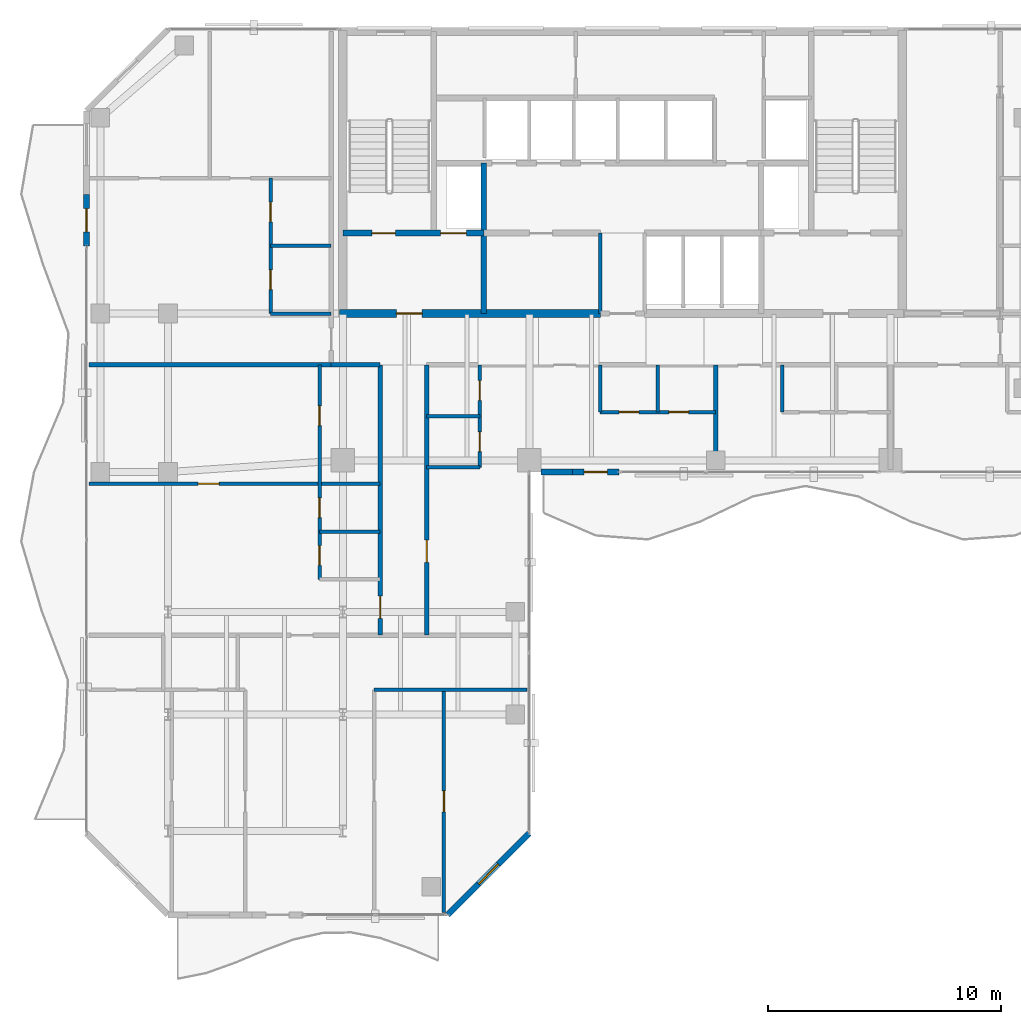
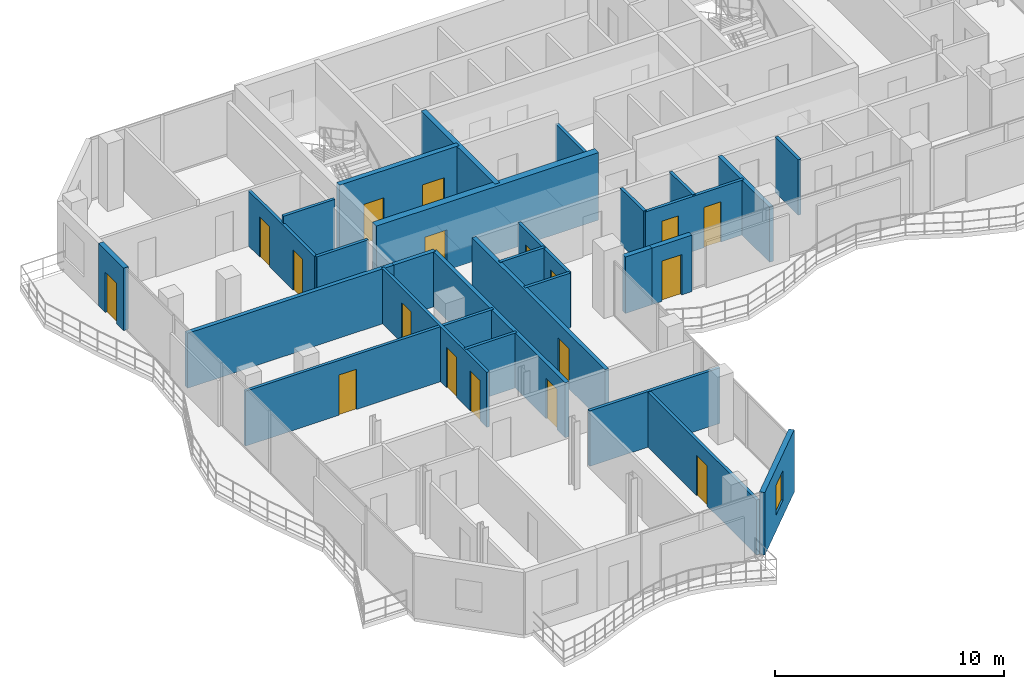
# One storey, part 18 of 24: 28 walls, 18 doors, 1 window, 19 openings.
"""IFC4 building model written with IfcOpenShell, lengths in metres."""

from ifc_helpers import new_model, si_unit, direction, frame, frame_2d, origin, place, context, subcontext, project, spatial, rectangle, extrude, material, layer, layer_set, type_object, element, fill, save


model = new_model("IFC4")

# Units and contexts
model_context = context("Model", 3, precision=1e-05, world=origin(), true_north=direction((0.0, 1.0)))
body_context = subcontext(model_context, "Body", "Model", "MODEL_VIEW")
ifc_project = project(units=[si_unit("LENGTHUNIT", "METRE"), si_unit("AREAUNIT", "SQUARE_METRE"), si_unit("VOLUMEUNIT", "CUBIC_METRE"), si_unit("PLANEANGLEUNIT", "RADIAN"), si_unit("MASSUNIT", "GRAM", prefix="KILO")], contexts=[model_context])

# Site, building, storey
site_placement = place(None, origin())
site = spatial("IfcSite", under=ifc_project, at=site_placement, CompositionType="ELEMENT")
building_placement = place(site_placement, origin())
building = spatial("IfcBuilding", under=site, at=building_placement, Name="Catumbela Crestline Tower", CompositionType="ELEMENT")
storey_placement = place(building_placement, frame((0.0, 0.0, 154.2)))
storey = spatial("IfcBuildingStorey", under=building, at=storey_placement, Name="L39", CompositionType="ELEMENT", Elevation=154.2)

# Wall
ifc_material_1 = material(Name="Concrete C50/60", Category="concrete")
ifc_layer_1 = layer(ifc_material_1, 0.25, Name="Concrete C50/60")
ifc_layer_set_1 = layer_set([ifc_layer_1], Name="Concrete C50/60")
wall_type_1 = type_object("IfcWallType", Name="CW-250D", PredefinedType="SHEAR", material=ifc_layer_set_1)
wall_1_placement = place(storey_placement, frame((22.05, 30.8, 0.0), z_axis=(0.0, 0.0, 1.0), x_axis=(0.0, 1.0, 0.0)))
element("IfcWall", 1, at=wall_1_placement, inside=storey, type_object=wall_type_1, Name="L39 Structural Core Shear Wall FFW", PredefinedType="SHEAR", context=body_context, shape_type="SweptSolid", body=[
    extrude(rectangle(XDim=6.45, YDim=0.25, at=frame_2d((3.225, 0.0))), origin(), (0.0, 0.0, 1.0), 3.6),
])

# Wall, openings, doors
wall_2_placement = place(storey_placement, frame((16.0, 34.25, 0.0), z_axis=(0.0, 0.0, 1.0), x_axis=(1.0, 0.0, 0.0)))
wall_2 = element("IfcWall", 2, at=wall_2_placement, inside=storey, type_object=wall_type_1, Name="L39 Structural Core Shear Wall ST1S", PredefinedType="SHEAR", context=body_context, shape_type="SweptSolid", body=[
    extrude(rectangle(XDim=6.05, YDim=0.25, at=frame_2d((3.025, 0.0))), origin(), (0.0, 0.0, 1.0), 3.6),
])
opening_1_placement = place(wall_2_placement, frame((1.25, 0.0, 0.0)))
opening_1 = element("IfcOpeningElement", 3, at=opening_1_placement, cuts=wall_2, Name="Opening DF9-100", PredefinedType="OPENING", context=body_context, shape_type="SweptSolid", body=[
    extrude(rectangle(XDim=1.0, YDim=2.15, at=frame_2d((0.5, 1.075))), frame((0.0, 0.135, 0.0), z_axis=(0.0, -1.0, 0.0), x_axis=(1.0, 0.0, 0.0)), (0.0, 0.0, 1.0), 0.27),
])
opening_2_placement = place(wall_2_placement, frame((4.2, 0.0, 0.0)))
opening_2 = element("IfcOpeningElement", 4, at=opening_2_placement, cuts=wall_2, Name="Opening LD-110", PredefinedType="OPENING", context=body_context, shape_type="SweptSolid", body=[
    extrude(rectangle(XDim=1.1, YDim=2.15, at=frame_2d((0.55, 1.075))), frame((0.0, 0.135, 0.0), z_axis=(0.0, -1.0, 0.0), x_axis=(1.0, 0.0, 0.0)), (0.0, 0.0, 1.0), 0.27),
])
ifc_material_2 = material(Name="Stainless steel EN 1.4401", Category="steel")
door_type_1 = type_object("IfcDoorType", Name="DF9-100", OperationType="NOTDEFINED", PredefinedType="DOOR", material=ifc_material_2)
door_1_placement = place(opening_1_placement, origin())
door_1 = element("IfcDoor", 5, at=door_1_placement, inside=storey, type_object=door_type_1, Name="L39 Interior Door DR-L39-ST01", OperationType="SINGLE_SWING_LEFT", OverallHeight=2.15, OverallWidth=1.0, PredefinedType="DOOR", context=body_context, shape_type="SweptSolid", body=[
    extrude(rectangle(XDim=1.0, YDim=2.15, at=frame_2d((0.5, 1.075))), frame((0.0, 0.025, 0.0), z_axis=(0.0, -1.0, 0.0), x_axis=(1.0, 0.0, 0.0)), (0.0, 0.0, 1.0), 0.05),
])
fill(opening_1, door_1)
door_type_2 = type_object("IfcDoorType", Name="LD-110", OperationType="NOTDEFINED", PredefinedType="DOOR", material=ifc_material_2)
door_2_placement = place(opening_2_placement, origin())
door_2 = element("IfcDoor", 6, at=door_2_placement, inside=storey, type_object=door_type_2, Name="L39 Lift Landing Sliding Door FL-01", OperationType="DOUBLE_DOOR_SLIDING", OverallHeight=2.15, OverallWidth=1.1, PredefinedType="DOOR", context=body_context, shape_type="SweptSolid", body=[
    extrude(rectangle(XDim=1.1, YDim=2.15, at=frame_2d((0.55, 1.075))), frame((0.0, 0.025, 0.0), z_axis=(0.0, -1.0, 0.0), x_axis=(1.0, 0.0, 0.0)), (0.0, 0.0, 1.0), 0.05),
])
fill(opening_2, door_2)

# Wall, opening, door
ifc_layer_2 = layer(ifc_material_1, 0.35, Name="Concrete C50/60")
ifc_layer_set_2 = layer_set([ifc_layer_2], Name="Concrete C50/60")
wall_type_2 = type_object("IfcWallType", Name="CW-350B", PredefinedType="SHEAR", material=ifc_layer_set_2)
wall_3_placement = place(storey_placement, frame((15.85, 30.8, 0.0), z_axis=(0.0, 0.0, 1.0), x_axis=(1.0, 0.0, 0.0)))
wall_3 = element("IfcWall", 7, at=wall_3_placement, inside=storey, type_object=wall_type_2, Name="L39 Structural Core Shear Wall SW", PredefinedType="SHEAR", context=body_context, shape_type="SweptSolid", body=[
    extrude(rectangle(XDim=11.2, YDim=0.35, at=frame_2d((5.6, 0.0))), origin(), (0.0, 0.0, 1.0), 3.6),
])
opening_3_placement = place(wall_3_placement, frame((2.45, 0.0, 0.0)))
opening_3 = element("IfcOpeningElement", 8, at=opening_3_placement, cuts=wall_3, Name="Opening DF9-110", PredefinedType="OPENING", context=body_context, shape_type="SweptSolid", body=[
    extrude(rectangle(XDim=1.1, YDim=2.15, at=frame_2d((0.55, 1.075))), frame((0.0, 0.185, 0.0), z_axis=(0.0, -1.0, 0.0), x_axis=(1.0, 0.0, 0.0)), (0.0, 0.0, 1.0), 0.37),
])
door_type_3 = type_object("IfcDoorType", Name="DF9-110", OperationType="NOTDEFINED", PredefinedType="DOOR", material=ifc_material_2)
door_3_placement = place(opening_3_placement, origin())
door_3 = element("IfcDoor", 9, at=door_3_placement, inside=storey, type_object=door_type_3, Name="L39 Interior Door DR-L39-FFW-S", OperationType="SINGLE_SWING_LEFT", OverallHeight=2.15, OverallWidth=1.1, PredefinedType="DOOR", context=body_context, shape_type="SweptSolid", body=[
    extrude(rectangle(XDim=1.1, YDim=2.15, at=frame_2d((0.55, 1.075))), frame((0.0, 0.025, 0.0), z_axis=(0.0, -1.0, 0.0), x_axis=(1.0, 0.0, 0.0)), (0.0, 0.0, 1.0), 0.05),
])
fill(opening_3, door_3)

# Wall
ifc_material_3 = material(Name="Acoustic gypsum and mineral-wool partition")
ifc_layer_3 = layer(ifc_material_3, 0.2, Name="Acoustic gypsum and mineral-wool partition")
ifc_layer_set_3 = layer_set([ifc_layer_3], Name="Acoustic gypsum and mineral-wool partition")
wall_type_3 = type_object("IfcWallType", Name="WC-200", PredefinedType="PARTITIONING", material=ifc_layer_set_3)
wall_4_placement = place(storey_placement, frame((15.5, 28.6, 0.0), z_axis=(0.0, 0.0, 1.0), x_axis=(1.0, 0.0, 0.0)))
element("IfcWall", 10, at=wall_4_placement, inside=storey, type_object=wall_type_3, Name="L39 Interior Partition PW-L39-RCWL", PredefinedType="PARTITIONING", context=body_context, shape_type="SweptSolid", body=[
    extrude(rectangle(XDim=2.1, YDim=0.2, at=frame_2d((1.05, 0.0))), origin(), (0.0, 0.0, 1.0), 2.93),
])

# Wall, opening, door
wall_5_placement = place(storey_placement, frame((17.6, 17.0, 0.0), z_axis=(0.0, 0.0, 1.0), x_axis=(0.0, 1.0, 0.0)))
wall_5 = element("IfcWall", 11, at=wall_5_placement, inside=storey, type_object=wall_type_3, Name="L39 Interior Partition PW-L39-WL1-ENT", PredefinedType="PARTITIONING", context=body_context, shape_type="SweptSolid", body=[
    extrude(rectangle(XDim=11.6, YDim=0.2, at=frame_2d((5.8, 0.0))), origin(), (0.0, 0.0, 1.0), 2.93),
])
opening_4_placement = place(wall_5_placement, frame((0.723, 0.0, 0.0)))
opening_4 = element("IfcOpeningElement", 12, at=opening_4_placement, cuts=wall_5, Name="Opening DF6-095", PredefinedType="OPENING", context=body_context, shape_type="SweptSolid", body=[
    extrude(rectangle(XDim=0.95, YDim=2.15, at=frame_2d((0.475, 1.075))), frame((0.0, 0.11, 0.0), z_axis=(0.0, -1.0, 0.0), x_axis=(1.0, 0.0, 0.0)), (0.0, 0.0, 1.0), 0.22),
])
ifc_material_4 = material(Name="Aluminium alloy AW-6060-T66", Category="aluminium")
door_type_4 = type_object("IfcDoorType", Name="DF6-095", OperationType="NOTDEFINED", PredefinedType="DOOR", material=ifc_material_4)
door_4_placement = place(opening_4_placement, origin())
door_4 = element("IfcDoor", 13, at=door_4_placement, inside=storey, type_object=door_type_4, Name="L39 Interior Door DR-L39-WL1-ENT", OperationType="SINGLE_SWING_RIGHT", OverallHeight=2.15, OverallWidth=0.95, PredefinedType="DOOR", context=body_context, shape_type="SweptSolid", body=[
    extrude(rectangle(XDim=0.95, YDim=2.15, at=frame_2d((0.475, 1.075))), frame((0.0, 0.025, 0.0), z_axis=(0.0, -1.0, 0.0), x_axis=(1.0, 0.0, 0.0)), (0.0, 0.0, 1.0), 0.05),
])
fill(opening_4, door_4)

wall_6_placement = place(storey_placement, frame((19.6, 17.0, 0.0), z_axis=(0.0, 0.0, 1.0), x_axis=(0.0, 1.0, 0.0)))
wall_6 = element("IfcWall", 14, at=wall_6_placement, inside=storey, type_object=wall_type_3, Name="L39 Interior Partition PW-L39-WR1-ENT", PredefinedType="PARTITIONING", context=body_context, shape_type="SweptSolid", body=[
    extrude(rectangle(XDim=11.6, YDim=0.2, at=frame_2d((5.8, 0.0))), origin(), (0.0, 0.0, 1.0), 2.93),
])
opening_5_placement = place(wall_6_placement, frame((3.125, 0.0, 0.0)))
opening_5 = element("IfcOpeningElement", 15, at=opening_5_placement, cuts=wall_6, Name="Opening DF6-095", PredefinedType="OPENING", context=body_context, shape_type="SweptSolid", body=[
    extrude(rectangle(XDim=0.95, YDim=2.15, at=frame_2d((0.475, 1.075))), frame((0.0, 0.11, 0.0), z_axis=(0.0, -1.0, 0.0), x_axis=(1.0, 0.0, 0.0)), (0.0, 0.0, 1.0), 0.22),
])
door_5_placement = place(opening_5_placement, origin())
door_5 = element("IfcDoor", 16, at=door_5_placement, inside=storey, type_object=door_type_4, Name="L39 Interior Door DR-L39-WR1-ENT", OperationType="SINGLE_SWING_LEFT", OverallHeight=2.15, OverallWidth=0.95, PredefinedType="DOOR", context=body_context, shape_type="SweptSolid", body=[
    extrude(rectangle(XDim=0.95, YDim=2.15, at=frame_2d((0.475, 1.075))), frame((0.0, 0.025, 0.0), z_axis=(0.0, -1.0, 0.0), x_axis=(1.0, 0.0, 0.0)), (0.0, 0.0, 1.0), 0.05),
])
fill(opening_5, door_5)

# Wall, opening, window
ifc_material_5 = material(Name="Angolan grey-ochre granite", Category="masonry")
ifc_layer_4 = layer(ifc_material_5, 0.25, Name="Angolan grey-ochre granite")
ifc_layer_set_4 = layer_set([ifc_layer_4], Name="Angolan grey-ochre granite")
wall_type_4 = type_object("IfcWallType", Name="WE-250", PredefinedType="STANDARD", material=ifc_layer_set_4)
wall_7_placement = place(storey_placement, frame((20.5, 5.0, 0.0), z_axis=(0.0, 0.0, 1.0), x_axis=(0.707106781187, 0.707106781187, 0.0)))
wall_7 = element("IfcWall", 17, at=wall_7_placement, inside=storey, type_object=wall_type_4, Name="L39 Granite Punched Window Wall 1-1", PredefinedType="STANDARD", context=body_context, shape_type="SweptSolid", body=[
    extrude(rectangle(XDim=4.9497, YDim=0.25, at=frame_2d((2.4748, 0.0))), origin(), (0.0, 0.0, 1.0), 3.33),
])
opening_6_placement = place(wall_7_placement, frame((1.8748, 0.0, 0.85)))
opening_6 = element("IfcOpeningElement", 18, at=opening_6_placement, cuts=wall_7, Name="Opening WN-02", PredefinedType="OPENING", context=body_context, shape_type="SweptSolid", body=[
    extrude(rectangle(XDim=1.2, YDim=1.6, at=frame_2d((0.6, 0.8))), frame((0.0, 0.135, 0.0), z_axis=(0.0, -1.0, 0.0), x_axis=(1.0, 0.0, 0.0)), (0.0, 0.0, 1.0), 0.27),
])
ifc_material_6 = material(Name="Low-E laminated solar-control double glazing", Category="glass")
window_type = type_object("IfcWindowType", Name="WO-1200", PartitioningType="SINGLE_PANEL", PredefinedType="WINDOW", material=ifc_material_6)
window_placement = place(opening_6_placement, origin())
window = element("IfcWindow", 19, at=window_placement, inside=storey, type_object=window_type, Name="L39 Facade Vision Window 218", OverallHeight=1.6, OverallWidth=1.2, PartitioningType="SINGLE_PANEL", PredefinedType="WINDOW", context=body_context, shape_type="SweptSolid", body=[
    extrude(rectangle(XDim=1.2, YDim=1.6, at=frame_2d((0.6, 0.8))), frame((0.0, 0.03, 0.0), z_axis=(0.0, -1.0, 0.0), x_axis=(1.0, 0.0, 0.0)), (0.0, 0.0, 1.0), 0.06),
])
fill(opening_6, window)

# Wall, opening, door
wall_8_placement = place(storey_placement, frame((25.85, 24.0, 0.0), z_axis=(0.0, 0.0, 1.0), x_axis=(1.0, 0.0, 0.0)))
wall_8 = element("IfcWall", 20, at=wall_8_placement, inside=storey, type_object=wall_type_4, Name="L39 Exterior Threshold Portal Wall DR-L39-WBAL-1", PredefinedType="STANDARD", context=body_context, shape_type="SweptSolid", body=[
    extrude(rectangle(XDim=2.0, YDim=0.25, at=frame_2d((1.0, 0.0))), origin(), (0.0, 0.0, 1.0), 3.01),
])
opening_7_placement = place(wall_8_placement, frame((0.5, 0.0, 0.0)))
opening_7 = element("IfcOpeningElement", 21, at=opening_7_placement, cuts=wall_8, Name="Opening DB-L39-1", PredefinedType="OPENING", context=body_context, shape_type="SweptSolid", body=[
    extrude(rectangle(XDim=1.0, YDim=2.15, at=frame_2d((0.5, 1.075))), frame((0.0, 0.135, 0.0), z_axis=(0.0, -1.0, 0.0), x_axis=(1.0, 0.0, 0.0)), (0.0, 0.0, 1.0), 0.27),
])
door_type_5 = type_object("IfcDoorType", Name="DB-1000", OperationType="NOTDEFINED", PredefinedType="DOOR", material=ifc_material_4)
door_6_placement = place(opening_7_placement, origin())
door_6 = element("IfcDoor", 22, at=door_6_placement, inside=storey, type_object=door_type_5, Name="L39 Wave Balcony Terrace Door 1", OperationType="SINGLE_SWING_LEFT", OverallHeight=2.15, OverallWidth=1.0, PredefinedType="DOOR", context=body_context, shape_type="SweptSolid", body=[
    extrude(rectangle(XDim=1.0, YDim=2.15, at=frame_2d((0.5, 1.075))), frame((0.0, 0.025, 0.0), z_axis=(0.0, -1.0, 0.0), x_axis=(1.0, 0.0, 0.0)), (0.0, 0.0, 1.0), 0.05),
])
fill(opening_7, door_6)

# Wall
wall_9_placement = place(storey_placement, frame((24.5, 24.0, 0.0), z_axis=(0.0, 0.0, 1.0), x_axis=(1.0, 0.0, 0.0)))
element("IfcWall", 23, at=wall_9_placement, inside=storey, type_object=wall_type_4, Name="L39 Granite Punched Window Wall 3-1", PredefinedType="STANDARD", context=body_context, shape_type="SweptSolid", body=[
    extrude(rectangle(XDim=1.35, YDim=0.25, at=frame_2d((0.675, 0.0))), origin(), (0.0, 0.0, 1.0), 3.01),
])

# Wall, opening, door
wall_10_placement = place(storey_placement, frame((5.0, 35.9, 0.0), z_axis=(0.0, 0.0, 1.0), x_axis=(0.0, -1.0, 0.0)))
wall_10 = element("IfcWall", 24, at=wall_10_placement, inside=storey, type_object=wall_type_4, Name="L39 Exterior Threshold Portal Wall DR-L39-WBAL-4", PredefinedType="STANDARD", context=body_context, shape_type="SweptSolid", body=[
    extrude(rectangle(XDim=2.2, YDim=0.25, at=frame_2d((1.1, 0.0))), origin(), (0.0, 0.0, 1.0), 3.33),
])
opening_8_placement = place(wall_10_placement, frame((0.6, 0.0, 0.0)))
opening_8 = element("IfcOpeningElement", 25, at=opening_8_placement, cuts=wall_10, Name="Opening DB-L39-4", PredefinedType="OPENING", context=body_context, shape_type="SweptSolid", body=[
    extrude(rectangle(XDim=1.0, YDim=2.15, at=frame_2d((0.5, 1.075))), frame((0.0, 0.135, 0.0), z_axis=(0.0, -1.0, 0.0), x_axis=(1.0, 0.0, 0.0)), (0.0, 0.0, 1.0), 0.27),
])
door_7_placement = place(opening_8_placement, origin())
door_7 = element("IfcDoor", 26, at=door_7_placement, inside=storey, type_object=door_type_5, Name="L39 Wave Balcony Terrace Door 4", OperationType="SINGLE_SWING_RIGHT", OverallHeight=2.15, OverallWidth=1.0, PredefinedType="DOOR", context=body_context, shape_type="SweptSolid", body=[
    extrude(rectangle(XDim=1.0, YDim=2.15, at=frame_2d((0.5, 1.075))), frame((0.0, 0.025, 0.0), z_axis=(0.0, -1.0, 0.0), x_axis=(1.0, 0.0, 0.0)), (0.0, 0.0, 1.0), 0.05),
])
fill(opening_8, door_7)

# Walls
ifc_layer_5 = layer(ifc_material_3, 0.15, Name="Acoustic gypsum and mineral-wool partition")
ifc_layer_set_5 = layer_set([ifc_layer_5], Name="Acoustic gypsum and mineral-wool partition")
wall_type_5 = type_object("IfcWallType", Name="WP-150", PredefinedType="PARTITIONING", material=ifc_layer_set_5)
wall_11_placement = place(storey_placement, frame((12.9, 30.8, 0.0), z_axis=(0.0, 0.0, 1.0), x_axis=(1.0, 0.0, 0.0)))
element("IfcWall", 27, at=wall_11_placement, inside=storey, type_object=wall_type_5, Name="L39 Interior Partition PW-L39-NW1-KBS", PredefinedType="PARTITIONING", context=body_context, shape_type="SweptSolid", body=[
    extrude(rectangle(XDim=2.6, YDim=0.15, at=frame_2d((1.3, 0.0))), origin(), (0.0, 0.0, 1.0), 2.93),
])
wall_12_placement = place(storey_placement, frame((12.9, 33.704, 0.0), z_axis=(0.0, 0.0, 1.0), x_axis=(1.0, 0.0, 0.0)))
element("IfcWall", 28, at=wall_12_placement, inside=storey, type_object=wall_type_5, Name="L39 Interior Partition PW-L39-NW1-KBM", PredefinedType="PARTITIONING", context=body_context, shape_type="SweptSolid", body=[
    extrude(rectangle(XDim=2.6, YDim=0.15, at=frame_2d((1.3, 0.0))), origin(), (0.0, 0.0, 1.0), 3.33),
])

# Wall, openings, doors
wall_13_placement = place(storey_placement, frame((12.9, 30.8, 0.0), z_axis=(0.0, 0.0, 1.0), x_axis=(0.0, 1.0, 0.0)))
wall_13 = element("IfcWall", 29, at=wall_13_placement, inside=storey, type_object=wall_type_5, Name="L39 Interior Partition PW-L39-NW1-LK", PredefinedType="PARTITIONING", context=body_context, shape_type="SweptSolid", body=[
    extrude(rectangle(XDim=5.808, YDim=0.15, at=frame_2d((2.904, 0.0))), origin(), (0.0, 0.0, 1.0), 2.93),
])
opening_9_placement = place(wall_13_placement, frame((1.027, 0.0, 0.0)))
opening_9 = element("IfcOpeningElement", 30, at=opening_9_placement, cuts=wall_13, Name="Opening DI-085", PredefinedType="OPENING", context=body_context, shape_type="SweptSolid", body=[
    extrude(rectangle(XDim=0.85, YDim=2.15, at=frame_2d((0.425, 1.075))), frame((0.0, 0.085, 0.0), z_axis=(0.0, -1.0, 0.0), x_axis=(1.0, 0.0, 0.0)), (0.0, 0.0, 1.0), 0.17),
])
opening_10_placement = place(wall_13_placement, frame((3.931, 0.0, 0.0)))
opening_10 = element("IfcOpeningElement", 31, at=opening_10_placement, cuts=wall_13, Name="Opening DI-085", PredefinedType="OPENING", context=body_context, shape_type="SweptSolid", body=[
    extrude(rectangle(XDim=0.85, YDim=2.15, at=frame_2d((0.425, 1.075))), frame((0.0, 0.085, 0.0), z_axis=(0.0, -1.0, 0.0), x_axis=(1.0, 0.0, 0.0)), (0.0, 0.0, 1.0), 0.17),
])
door_type_6 = type_object("IfcDoorType", Name="DI-085", OperationType="NOTDEFINED", PredefinedType="DOOR", material=ifc_material_4)
door_8_placement = place(opening_9_placement, origin())
door_8 = element("IfcDoor", 32, at=door_8_placement, inside=storey, type_object=door_type_6, Name="L39 Interior Door DR-L39-NW1-KIT", OperationType="SINGLE_SWING_LEFT", OverallHeight=2.15, OverallWidth=0.85, PredefinedType="DOOR", context=body_context, shape_type="SweptSolid", body=[
    extrude(rectangle(XDim=0.85, YDim=2.15, at=frame_2d((0.425, 1.075))), frame((0.0, 0.025, 0.0), z_axis=(0.0, -1.0, 0.0), x_axis=(1.0, 0.0, 0.0)), (0.0, 0.0, 1.0), 0.05),
])
fill(opening_9, door_8)
door_9_placement = place(opening_10_placement, origin())
door_9 = element("IfcDoor", 33, at=door_9_placement, inside=storey, type_object=door_type_6, Name="L39 Interior Door DR-L39-NW1-BTH", OperationType="SINGLE_SWING_RIGHT", OverallHeight=2.15, OverallWidth=0.85, PredefinedType="DOOR", context=body_context, shape_type="SweptSolid", body=[
    extrude(rectangle(XDim=0.85, YDim=2.15, at=frame_2d((0.425, 1.075))), frame((0.0, 0.025, 0.0), z_axis=(0.0, -1.0, 0.0), x_axis=(1.0, 0.0, 0.0)), (0.0, 0.0, 1.0), 0.05),
])
fill(opening_10, door_9)

# Walls
for number, where, z_axis, x_axis, name in (
    (34, (27.04, 26.576, 0.0), (0.0, 0.0, 1.0), (0.0, 1.0, 0.0), "L39 Interior Partition PW-L39-S1-KBW"),
    (35, (29.52, 26.576, 0.0), (0.0, 0.0, 1.0), (0.0, 1.0, 0.0), "L39 Interior Partition PW-L39-S1-KBM"),
):
    element("IfcWall", number, at=place(storey_placement, frame(where, z_axis=z_axis, x_axis=x_axis)), inside=storey, type_object=wall_type_5, Name=name, PredefinedType="PARTITIONING", context=body_context, shape_type="SweptSolid", body=[
        extrude(rectangle(XDim=2.024, YDim=0.15, at=frame_2d((1.012, 0.0))), origin(), (0.0, 0.0, 1.0), 2.96),
    ])

# Wall, openings, doors
wall_14_placement = place(storey_placement, frame((27.04, 26.576, 0.0), z_axis=(0.0, 0.0, 1.0), x_axis=(1.0, 0.0, 0.0)))
wall_14 = element("IfcWall", 36, at=wall_14_placement, inside=storey, type_object=wall_type_5, Name="L39 Interior Partition PW-L39-S1-KBD1", PredefinedType="PARTITIONING", context=body_context, shape_type="SweptSolid", body=[
    extrude(rectangle(XDim=4.96, YDim=0.15, at=frame_2d((2.48, 0.0))), origin(), (0.0, 0.0, 1.0), 2.93),
])
opening_11_placement = place(wall_14_placement, frame((0.815, 0.0, 0.0)))
opening_11 = element("IfcOpeningElement", 37, at=opening_11_placement, cuts=wall_14, Name="Opening DI-085", PredefinedType="OPENING", context=body_context, shape_type="SweptSolid", body=[
    extrude(rectangle(XDim=0.85, YDim=2.15, at=frame_2d((0.425, 1.075))), frame((0.0, 0.085, 0.0), z_axis=(0.0, -1.0, 0.0), x_axis=(1.0, 0.0, 0.0)), (0.0, 0.0, 1.0), 0.17),
])
opening_12_placement = place(wall_14_placement, frame((2.9475, 0.0, 0.0)))
opening_12 = element("IfcOpeningElement", 38, at=opening_12_placement, cuts=wall_14, Name="Opening DI-085", PredefinedType="OPENING", context=body_context, shape_type="SweptSolid", body=[
    extrude(rectangle(XDim=0.85, YDim=2.15, at=frame_2d((0.425, 1.075))), frame((0.0, 0.085, 0.0), z_axis=(0.0, -1.0, 0.0), x_axis=(1.0, 0.0, 0.0)), (0.0, 0.0, 1.0), 0.17),
])
door_10_placement = place(opening_11_placement, origin())
door_10 = element("IfcDoor", 39, at=door_10_placement, inside=storey, type_object=door_type_6, Name="L39 Interior Door DR-L39-S1-BTH", OperationType="SINGLE_SWING_LEFT", OverallHeight=2.15, OverallWidth=0.85, PredefinedType="DOOR", context=body_context, shape_type="SweptSolid", body=[
    extrude(rectangle(XDim=0.85, YDim=2.15, at=frame_2d((0.425, 1.075))), frame((0.0, 0.025, 0.0), z_axis=(0.0, -1.0, 0.0), x_axis=(1.0, 0.0, 0.0)), (0.0, 0.0, 1.0), 0.05),
])
fill(opening_11, door_10)
door_11_placement = place(opening_12_placement, origin())
door_11 = element("IfcDoor", 40, at=door_11_placement, inside=storey, type_object=door_type_6, Name="L39 Interior Door DR-L39-S1-KIT", OperationType="SINGLE_SWING_RIGHT", OverallHeight=2.15, OverallWidth=0.85, PredefinedType="DOOR", context=body_context, shape_type="SweptSolid", body=[
    extrude(rectangle(XDim=0.85, YDim=2.15, at=frame_2d((0.425, 1.075))), frame((0.0, 0.025, 0.0), z_axis=(0.0, -1.0, 0.0), x_axis=(1.0, 0.0, 0.0)), (0.0, 0.0, 1.0), 0.05),
])
fill(opening_12, door_11)

# Walls
wall_15_placement = place(storey_placement, frame((34.85, 26.576, 0.0), z_axis=(0.0, 0.0, 1.0), x_axis=(0.0, 1.0, 0.0)))
element("IfcWall", 41, at=wall_15_placement, inside=storey, type_object=wall_type_5, Name="L39 Interior Partition PW-L39-S2-KBW", PredefinedType="PARTITIONING", context=body_context, shape_type="SweptSolid", body=[
    extrude(rectangle(XDim=2.024, YDim=0.15, at=frame_2d((1.012, 0.0))), origin(), (0.0, 0.0, 1.0), 2.96),
])
wall_16_placement = place(storey_placement, frame((15.0, 21.446, 0.0), z_axis=(0.0, 0.0, 1.0), x_axis=(1.0, 0.0, 0.0)))
element("IfcWall", 42, at=wall_16_placement, inside=storey, type_object=wall_type_5, Name="L39 Interior Partition PW-L39-WL1-KBM", PredefinedType="PARTITIONING", context=body_context, shape_type="SweptSolid", body=[
    extrude(rectangle(XDim=2.6, YDim=0.15, at=frame_2d((1.3, 0.0))), origin(), (0.0, 0.0, 1.0), 2.93),
])

# Wall, opening, door
wall_17_placement = place(storey_placement, frame((5.1, 23.496, 0.0), z_axis=(0.0, 0.0, 1.0), x_axis=(1.0, 0.0, 0.0)))
wall_17 = element("IfcWall", 43, at=wall_17_placement, inside=storey, type_object=wall_type_5, Name="L39 Interior Partition PW-L39-WL1-KBN", PredefinedType="PARTITIONING", context=body_context, shape_type="SweptSolid", body=[
    extrude(rectangle(XDim=12.5, YDim=0.15, at=frame_2d((6.25, 0.0))), origin(), (0.0, 0.0, 1.0), 2.93),
])
opening_13_placement = place(wall_17_placement, frame((4.6918, 0.0, 0.0)))
opening_13 = element("IfcOpeningElement", 44, at=opening_13_placement, cuts=wall_17, Name="Opening DI-090", PredefinedType="OPENING", context=body_context, shape_type="SweptSolid", body=[
    extrude(rectangle(XDim=0.9, YDim=2.15, at=frame_2d((0.45, 1.075))), frame((0.0, 0.085, 0.0), z_axis=(0.0, -1.0, 0.0), x_axis=(1.0, 0.0, 0.0)), (0.0, 0.0, 1.0), 0.17),
])
door_type_7 = type_object("IfcDoorType", Name="DI-090", OperationType="NOTDEFINED", PredefinedType="DOOR", material=ifc_material_4)
door_12_placement = place(opening_13_placement, origin())
door_12 = element("IfcDoor", 45, at=door_12_placement, inside=storey, type_object=door_type_7, Name="L39 Interior Door DR-L39-WL1-BD1", OperationType="SINGLE_SWING_RIGHT", OverallHeight=2.15, OverallWidth=0.9, PredefinedType="DOOR", context=body_context, shape_type="SweptSolid", body=[
    extrude(rectangle(XDim=0.9, YDim=2.15, at=frame_2d((0.45, 1.075))), frame((0.0, 0.025, 0.0), z_axis=(0.0, -1.0, 0.0), x_axis=(1.0, 0.0, 0.0)), (0.0, 0.0, 1.0), 0.05),
])
fill(opening_13, door_12)

# Wall, openings, doors
wall_18_placement = place(storey_placement, frame((15.0, 19.396, 0.0), z_axis=(0.0, 0.0, 1.0), x_axis=(0.0, 1.0, 0.0)))
wall_18 = element("IfcWall", 46, at=wall_18_placement, inside=storey, type_object=wall_type_5, Name="L39 Interior Partition PW-L39-WL1-LK", PredefinedType="PARTITIONING", context=body_context, shape_type="SweptSolid", body=[
    extrude(rectangle(XDim=9.204, YDim=0.15, at=frame_2d((4.602, 0.0))), origin(), (0.0, 0.0, 1.0), 2.93),
])
opening_14_placement = place(wall_18_placement, frame((0.6, 0.0, 0.0)))
opening_14 = element("IfcOpeningElement", 47, at=opening_14_placement, cuts=wall_18, Name="Opening DI-085", PredefinedType="OPENING", context=body_context, shape_type="SweptSolid", body=[
    extrude(rectangle(XDim=0.85, YDim=2.15, at=frame_2d((0.425, 1.075))), frame((0.0, 0.085, 0.0), z_axis=(0.0, -1.0, 0.0), x_axis=(1.0, 0.0, 0.0)), (0.0, 0.0, 1.0), 0.17),
])
opening_15_placement = place(wall_18_placement, frame((2.65, 0.0, 0.0)))
opening_15 = element("IfcOpeningElement", 48, at=opening_15_placement, cuts=wall_18, Name="Opening DI-085", PredefinedType="OPENING", context=body_context, shape_type="SweptSolid", body=[
    extrude(rectangle(XDim=0.85, YDim=2.15, at=frame_2d((0.425, 1.075))), frame((0.0, 0.085, 0.0), z_axis=(0.0, -1.0, 0.0), x_axis=(1.0, 0.0, 0.0)), (0.0, 0.0, 1.0), 0.17),
])
opening_16_placement = place(wall_18_placement, frame((6.5927, 0.0, 0.0)))
opening_16 = element("IfcOpeningElement", 49, at=opening_16_placement, cuts=wall_18, Name="Opening DI-085", PredefinedType="OPENING", context=body_context, shape_type="SweptSolid", body=[
    extrude(rectangle(XDim=0.85, YDim=2.15, at=frame_2d((0.425, 1.075))), frame((0.0, 0.085, 0.0), z_axis=(0.0, -1.0, 0.0), x_axis=(1.0, 0.0, 0.0)), (0.0, 0.0, 1.0), 0.17),
])
door_13_placement = place(opening_14_placement, origin())
door_13 = element("IfcDoor", 50, at=door_13_placement, inside=storey, type_object=door_type_6, Name="L39 Interior Door DR-L39-WL1-KIT", OperationType="SINGLE_SWING_LEFT", OverallHeight=2.15, OverallWidth=0.85, PredefinedType="DOOR", context=body_context, shape_type="SweptSolid", body=[
    extrude(rectangle(XDim=0.85, YDim=2.15, at=frame_2d((0.425, 1.075))), frame((0.0, 0.025, 0.0), z_axis=(0.0, -1.0, 0.0), x_axis=(1.0, 0.0, 0.0)), (0.0, 0.0, 1.0), 0.05),
])
fill(opening_14, door_13)
door_14_placement = place(opening_15_placement, origin())
door_14 = element("IfcDoor", 51, at=door_14_placement, inside=storey, type_object=door_type_6, Name="L39 Interior Door DR-L39-WL1-BTH", OperationType="SINGLE_SWING_RIGHT", OverallHeight=2.15, OverallWidth=0.85, PredefinedType="DOOR", context=body_context, shape_type="SweptSolid", body=[
    extrude(rectangle(XDim=0.85, YDim=2.15, at=frame_2d((0.425, 1.075))), frame((0.0, 0.025, 0.0), z_axis=(0.0, -1.0, 0.0), x_axis=(1.0, 0.0, 0.0)), (0.0, 0.0, 1.0), 0.05),
])
fill(opening_15, door_14)
door_15_placement = place(opening_16_placement, origin())
door_15 = element("IfcDoor", 52, at=door_15_placement, inside=storey, type_object=door_type_6, Name="L39 Interior Door DR-L39-WL1-WIR", OperationType="SINGLE_SWING_LEFT", OverallHeight=2.15, OverallWidth=0.85, PredefinedType="DOOR", context=body_context, shape_type="SweptSolid", body=[
    extrude(rectangle(XDim=0.85, YDim=2.15, at=frame_2d((0.425, 1.075))), frame((0.0, 0.025, 0.0), z_axis=(0.0, -1.0, 0.0), x_axis=(1.0, 0.0, 0.0)), (0.0, 0.0, 1.0), 0.05),
])
fill(opening_16, door_15)

# Walls
wall_19_placement = place(storey_placement, frame((19.6, 24.2, 0.0), z_axis=(0.0, 0.0, 1.0), x_axis=(1.0, 0.0, 0.0)))
element("IfcWall", 53, at=wall_19_placement, inside=storey, type_object=wall_type_5, Name="L39 Interior Partition PW-L39-WR1-KBS", PredefinedType="PARTITIONING", context=body_context, shape_type="SweptSolid", body=[
    extrude(rectangle(XDim=2.28, YDim=0.15, at=frame_2d((1.14, 0.0))), origin(), (0.0, 0.0, 1.0), 2.93),
])
wall_20_placement = place(storey_placement, frame((19.6, 26.4, 0.0), z_axis=(0.0, 0.0, 1.0), x_axis=(1.0, 0.0, 0.0)))
element("IfcWall", 54, at=wall_20_placement, inside=storey, type_object=wall_type_5, Name="L39 Interior Partition PW-L39-WR1-KBM", PredefinedType="PARTITIONING", context=body_context, shape_type="SweptSolid", body=[
    extrude(rectangle(XDim=2.28, YDim=0.15, at=frame_2d((1.14, 0.0))), origin(), (0.0, 0.0, 1.0), 2.96),
])

# Wall, openings, doors
wall_21_placement = place(storey_placement, frame((21.88, 24.2, 0.0), z_axis=(0.0, 0.0, 1.0), x_axis=(0.0, 1.0, 0.0)))
wall_21 = element("IfcWall", 55, at=wall_21_placement, inside=storey, type_object=wall_type_5, Name="L39 Interior Partition PW-L39-WR1-SK1", PredefinedType="PARTITIONING", context=body_context, shape_type="SweptSolid", body=[
    extrude(rectangle(XDim=4.4, YDim=0.15, at=frame_2d((2.2, 0.0))), origin(), (0.0, 0.0, 1.0), 2.93),
])
opening_17_placement = place(wall_21_placement, frame((0.675, 0.0, 0.0)))
opening_17 = element("IfcOpeningElement", 56, at=opening_17_placement, cuts=wall_21, Name="Opening DI-085", PredefinedType="OPENING", context=body_context, shape_type="SweptSolid", body=[
    extrude(rectangle(XDim=0.85, YDim=2.15, at=frame_2d((0.425, 1.075))), frame((0.0, 0.085, 0.0), z_axis=(0.0, -1.0, 0.0), x_axis=(1.0, 0.0, 0.0)), (0.0, 0.0, 1.0), 0.17),
])
opening_18_placement = place(wall_21_placement, frame((2.875, 0.0, 0.0)))
opening_18 = element("IfcOpeningElement", 57, at=opening_18_placement, cuts=wall_21, Name="Opening DI-085", PredefinedType="OPENING", context=body_context, shape_type="SweptSolid", body=[
    extrude(rectangle(XDim=0.85, YDim=2.15, at=frame_2d((0.425, 1.075))), frame((0.0, 0.085, 0.0), z_axis=(0.0, -1.0, 0.0), x_axis=(1.0, 0.0, 0.0)), (0.0, 0.0, 1.0), 0.17),
])
door_16_placement = place(opening_17_placement, origin())
door_16 = element("IfcDoor", 58, at=door_16_placement, inside=storey, type_object=door_type_6, Name="L39 Interior Door DR-L39-WR1-KIT", OperationType="SINGLE_SWING_LEFT", OverallHeight=2.15, OverallWidth=0.85, PredefinedType="DOOR", context=body_context, shape_type="SweptSolid", body=[
    extrude(rectangle(XDim=0.85, YDim=2.15, at=frame_2d((0.425, 1.075))), frame((0.0, 0.025, 0.0), z_axis=(0.0, -1.0, 0.0), x_axis=(1.0, 0.0, 0.0)), (0.0, 0.0, 1.0), 0.05),
])
fill(opening_17, door_16)
door_17_placement = place(opening_18_placement, origin())
door_17 = element("IfcDoor", 59, at=door_17_placement, inside=storey, type_object=door_type_6, Name="L39 Interior Door DR-L39-WR1-BTH", OperationType="SINGLE_SWING_RIGHT", OverallHeight=2.15, OverallWidth=0.85, PredefinedType="DOOR", context=body_context, shape_type="SweptSolid", body=[
    extrude(rectangle(XDim=0.85, YDim=2.15, at=frame_2d((0.425, 1.075))), frame((0.0, 0.025, 0.0), z_axis=(0.0, -1.0, 0.0), x_axis=(1.0, 0.0, 0.0)), (0.0, 0.0, 1.0), 0.05),
])
fill(opening_18, door_17)

# Wall
wall_22_placement = place(storey_placement, frame((17.34, 14.65, 0.0), z_axis=(0.0, 0.0, 1.0), x_axis=(1.0, 0.0, 0.0)))
element("IfcWall", 60, at=wall_22_placement, inside=storey, type_object=wall_type_5, Name="L39 Interior Partition PW-L39-SH1-BDRH", PredefinedType="PARTITIONING", context=body_context, shape_type="SweptSolid", body=[
    extrude(rectangle(XDim=6.56, YDim=0.15, at=frame_2d((3.28, 0.0))), origin(), (0.0, 0.0, 1.0), 2.96),
])

# Wall, opening, door
wall_23_placement = place(storey_placement, frame((20.34, 5.1, 0.0), z_axis=(0.0, 0.0, 1.0), x_axis=(0.0, 1.0, 0.0)))
wall_23 = element("IfcWall", 61, at=wall_23_placement, inside=storey, type_object=wall_type_5, Name="L39 Interior Partition PW-L39-SH1-BDR", PredefinedType="PARTITIONING", context=body_context, shape_type="SweptSolid", body=[
    extrude(rectangle(XDim=9.55, YDim=0.15, at=frame_2d((4.775, 0.0))), origin(), (0.0, 0.0, 1.0), 2.93),
])
opening_19_placement = place(wall_23_placement, frame((4.325, 0.0, 0.0)))
opening_19 = element("IfcOpeningElement", 62, at=opening_19_placement, cuts=wall_23, Name="Opening DI-090", PredefinedType="OPENING", context=body_context, shape_type="SweptSolid", body=[
    extrude(rectangle(XDim=0.9, YDim=2.15, at=frame_2d((0.45, 1.075))), frame((0.0, 0.085, 0.0), z_axis=(0.0, -1.0, 0.0), x_axis=(1.0, 0.0, 0.0)), (0.0, 0.0, 1.0), 0.17),
])
door_18_placement = place(opening_19_placement, origin())
door_18 = element("IfcDoor", 63, at=door_18_placement, inside=storey, type_object=door_type_7, Name="L39 Interior Door DR-L39-SH1-BD2", OperationType="SINGLE_SWING_RIGHT", OverallHeight=2.15, OverallWidth=0.9, PredefinedType="DOOR", context=body_context, shape_type="SweptSolid", body=[
    extrude(rectangle(XDim=0.9, YDim=2.15, at=frame_2d((0.45, 1.075))), frame((0.0, 0.025, 0.0), z_axis=(0.0, -1.0, 0.0), x_axis=(1.0, 0.0, 0.0)), (0.0, 0.0, 1.0), 0.05),
])
fill(opening_19, door_18)

# Walls
ifc_layer_6 = layer(ifc_material_3, 0.2, Name="Acoustic gypsum and mineral-wool partition")
ifc_layer_set_6 = layer_set([ifc_layer_6], Name="Acoustic gypsum and mineral-wool partition")
wall_type_6 = type_object("IfcWallType", Name="WY-200", PredefinedType="PARTITIONING", material=ifc_layer_set_6)
wall_24_placement = place(storey_placement, frame((5.1, 28.6, 0.0), z_axis=(0.0, 0.0, 1.0), x_axis=(1.0, 0.0, 0.0)))
element("IfcWall", 64, at=wall_24_placement, inside=storey, type_object=wall_type_6, Name="L39 Interior Partition PW-L39-RCWNW", PredefinedType="PARTITIONING", context=body_context, shape_type="SweptSolid", body=[
    extrude(rectangle(XDim=10.4, YDim=0.2, at=frame_2d((5.2, 0.0))), origin(), (0.0, 0.0, 1.0), 2.93),
])
wall_25_placement = place(storey_placement, frame((32.0, 24.1, 0.0), z_axis=(0.0, 0.0, 1.0), x_axis=(0.0, 1.0, 0.0)))
element("IfcWall", 65, at=wall_25_placement, inside=storey, type_object=wall_type_6, Name="L39 Interior Partition PW-L39-RSPP-2", PredefinedType="PARTITIONING", context=body_context, shape_type="SweptSolid", body=[
    extrude(rectangle(XDim=4.5, YDim=0.2, at=frame_2d((2.25, 0.0))), origin(), (0.0, 0.0, 1.0), 2.93),
])
ifc_layer_7 = layer(ifc_material_3, 0.15, Name="Acoustic gypsum and mineral-wool partition")
ifc_layer_set_7 = layer_set([ifc_layer_7], Name="Acoustic gypsum and mineral-wool partition")
wall_type_7 = type_object("IfcWallType", Name="WS-150", PredefinedType="PLUMBINGWALL", material=ifc_layer_set_7)
wall_26_placement = place(storey_placement, frame((27.05, 30.8, 0.0), z_axis=(0.0, 0.0, 1.0), x_axis=(0.0, 1.0, 0.0)))
element("IfcWall", 66, at=wall_26_placement, inside=storey, type_object=wall_type_7, Name="L39 Interior Partition PW-L39-THRW", PredefinedType="PLUMBINGWALL", context=body_context, shape_type="SweptSolid", body=[
    extrude(rectangle(XDim=3.45, YDim=0.15, at=frame_2d((1.725, 0.0))), origin(), (0.0, 0.0, 1.0), 2.96),
])

save(model, "model.ifc")
